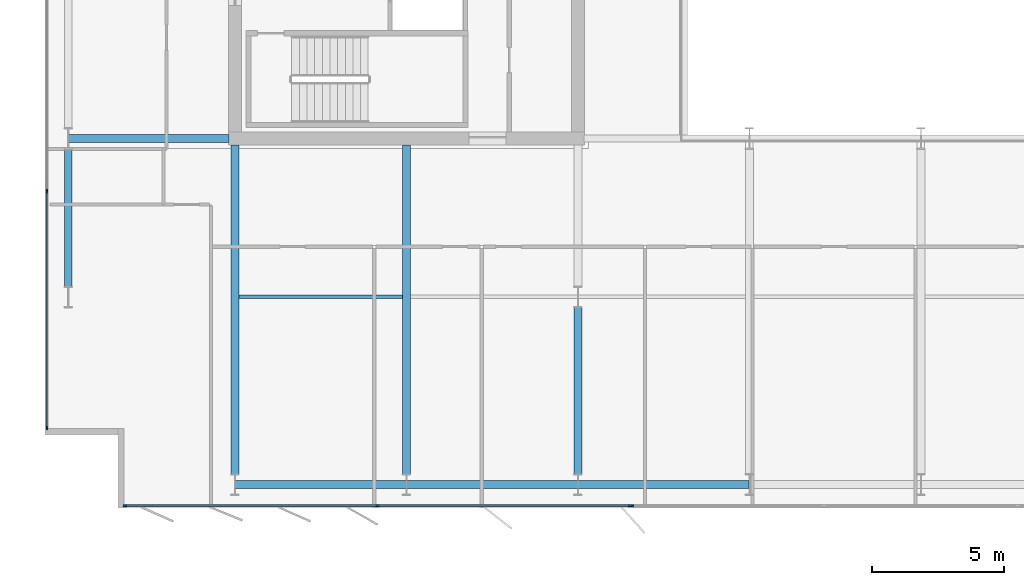
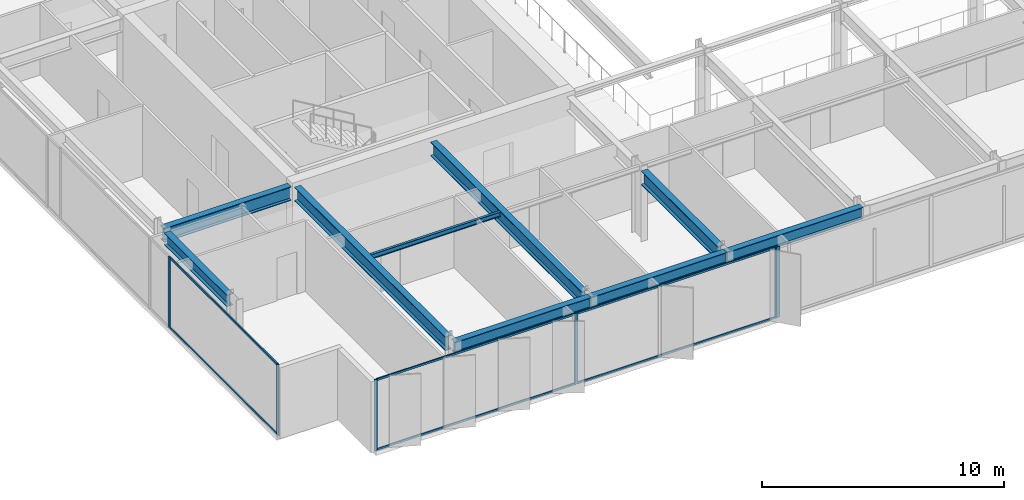
# One storey, part 3 of 23: 12 members, 9 beams, 3 elements without a shape of their own.
"""IFC4 building model written with IfcOpenShell, lengths in metres."""

from ifc_helpers import new_model, si_unit, direction, frame, origin, origin_2d, place, context, subcontext, project, spatial, rectangle, i_section, extrude, material, layer, layer_set, material_profile, profile_set, type_object, element, aggregate, save


model = new_model("IFC4")

# Units and contexts
model_context = context("Model", 3, precision=1e-05, world=origin(), true_north=direction((0.0, 1.0)))
body_context = subcontext(model_context, "Body", "Model", "MODEL_VIEW")
ifc_project = project(units=[si_unit("LENGTHUNIT", "METRE"), si_unit("AREAUNIT", "SQUARE_METRE"), si_unit("VOLUMEUNIT", "CUBIC_METRE"), si_unit("PLANEANGLEUNIT", "RADIAN"), si_unit("MASSUNIT", "GRAM", prefix="KILO")], contexts=[model_context])

# Site, building, storey
site_placement = place(None, origin())
site = spatial("IfcSite", under=ifc_project, at=site_placement, CompositionType="ELEMENT")
building_placement = place(site_placement, origin())
building = spatial("IfcBuilding", under=site, at=building_placement, Name="Putna Gate Headquarters", CompositionType="ELEMENT")
storey_placement = place(building_placement, frame((0.0, 0.0, 213.800048828125)))
storey = spatial("IfcBuildingStorey", under=building, at=storey_placement, Name="L53", CompositionType="ELEMENT", Elevation=213.800048828125)

# Beams
ifc_material_1 = material(Name="Steel S355J2", Category="steel")
ifc_material_profile_1 = material_profile(ifc_material_1, i_section(OverallWidth=0.300048828125, OverallDepth=0.699951171875, WebThickness=0.01708984375, FlangeThickness=0.031982421875, at=origin_2d()), Name="Steel S355J2")
ifc_profile_set_1 = profile_set([ifc_material_profile_1], Name="Steel S355J2")
beam_type_1 = type_object("IfcBeamType", Name="BM-GIRD-B-HEB700", PredefinedType="USERDEFINED", material=ifc_profile_set_1)
beam_1_placement = place(storey_placement, frame((6.68603515625, 19.0, 3.22998046875), z_axis=(1.0, 0.0, 0.0), x_axis=(0.0, 1.0, 0.0)))
element("IfcBeam", 1, at=beam_1_placement, inside=storey, type_object=beam_type_1, Name="L53 West Wing Girder Y19", ObjectType="GIRDER", PredefinedType="USERDEFINED", context=body_context, shape_type="SweptSolid", body=[
    extrude(i_section(OverallWidth=0.300048828125, OverallDepth=0.699951171875, WebThickness=0.01708984375, FlangeThickness=0.031982421875, at=origin_2d()), origin(), (0.0, 0.0, 1.0), 6.078857421875),
])
for number, where, z_axis, x_axis, name in (
    (2, (13.0, 6.27490234375, 3.22998046875), (0.0, 1.0, 0.0), (-1.0, 0.0, 0.0), "L53 South Primary Girder X13"),
    (3, (19.5, 6.27490234375, 3.22998046875), (0.0, 1.0, 0.0), (-1.0, 0.0, 0.0), "L53 South Primary Girder X19"),
):
    element("IfcBeam", number, at=place(storey_placement, frame(where, z_axis=z_axis, x_axis=x_axis)), inside=storey, type_object=beam_type_1, Name=name, ObjectType="GIRDER", PredefinedType="USERDEFINED", context=body_context, shape_type="SweptSolid", body=[
        extrude(i_section(OverallWidth=0.300048828125, OverallDepth=0.699951171875, WebThickness=0.01708984375, FlangeThickness=0.031982421875, at=origin_2d()), origin(), (0.0, 0.0, 1.0), 12.489990234375),
    ])
beam_2_placement = place(storey_placement, frame((26.0, 6.27490234375, 3.22998046875), z_axis=(0.0, 1.0, 0.0), x_axis=(-1.0, 0.0, 0.0)))
element("IfcBeam", 4, at=beam_2_placement, inside=storey, type_object=beam_type_1, Name="L53 South Primary Girder X26-1", ObjectType="GIRDER", PredefinedType="USERDEFINED", context=body_context, shape_type="SweptSolid", body=[
    extrude(i_section(OverallWidth=0.300048828125, OverallDepth=0.699951171875, WebThickness=0.01708984375, FlangeThickness=0.031982421875, at=origin_2d()), origin(), (0.0, 0.0, 1.0), 6.330078125),
])
ifc_material_profile_2 = material_profile(ifc_material_1, i_section(OverallWidth=0.1201171875, OverallDepth=0.239990234375, WebThickness=0.006103515625, FlangeThickness=0.009765625, at=origin_2d()), Name="Steel S355J2")
ifc_profile_set_2 = profile_set([ifc_material_profile_2], Name="Steel S355J2")
beam_type_2 = type_object("IfcBeamType", Name="BM-SEC-Z4-IPE240", PredefinedType="JOIST", material=ifc_profile_set_2)
beam_3_placement = place(storey_placement, frame((13.154052734375, 13.0, 3.4599609375), z_axis=(1.0, 0.0, 0.0), x_axis=(0.0, 1.0, 0.0)))
element("IfcBeam", 5, at=beam_3_placement, inside=storey, type_object=beam_type_2, Name="L53 South Secondary Beam 1", PredefinedType="JOIST", context=body_context, shape_type="SweptSolid", body=[
    extrude(i_section(OverallWidth=0.1201171875, OverallDepth=0.239990234375, WebThickness=0.006103515625, FlangeThickness=0.009765625, at=origin_2d()), origin(), (0.0, 0.0, 1.0), 6.19189453125),
])
ifc_material_profile_3 = material_profile(ifc_material_1, i_section(OverallWidth=0.300048828125, OverallDepth=0.590087890625, WebThickness=0.012939453125, FlangeThickness=0.02490234375, at=origin_2d()), Name="Steel S355J2")
ifc_profile_set_3 = profile_set([ifc_material_profile_3], Name="Steel S355J2")
beam_type_3 = type_object("IfcBeamType", Name="BM-SPAN-Z4-HEA600", PredefinedType="SPANDREL", material=ifc_profile_set_3)
for number, where, z_axis, x_axis, name in (
    (6, (13.006103515625, 5.8798828125, 3.284912109375), (1.0, 0.0, 0.0), (0.0, 1.0, 0.0), "L53 S Perimeter Spandrel 1"),
    (7, (19.506103515625, 5.8798828125, 3.284912109375), (1.0, 0.0, 0.0), (0.0, 1.0, 0.0), "L53 S Perimeter Spandrel 2"),
    (8, (26.006103515625, 5.8798828125, 3.284912109375), (1.0, 0.0, 0.0), (0.0, 1.0, 0.0), "L53 S Perimeter Spandrel 3"),
):
    element("IfcBeam", number, at=place(storey_placement, frame(where, z_axis=z_axis, x_axis=x_axis)), inside=storey, type_object=beam_type_3, Name=name, PredefinedType="SPANDREL", context=body_context, shape_type="SweptSolid", body=[
        extrude(i_section(OverallWidth=0.300048828125, OverallDepth=0.590087890625, WebThickness=0.012939453125, FlangeThickness=0.02490234375, at=origin_2d()), origin(), (0.0, 0.0, 1.0), 6.48779296875),
    ])
beam_4_placement = place(storey_placement, frame((6.679931640625, 13.39501953125, 3.284912109375), z_axis=(0.0, 1.0, 0.0), x_axis=(-1.0, 0.0, 0.0)))
element("IfcBeam", 9, at=beam_4_placement, inside=storey, type_object=beam_type_3, Name="L53 W End Spandrel 1", PredefinedType="SPANDREL", context=body_context, shape_type="SweptSolid", body=[
    extrude(i_section(OverallWidth=0.300048828125, OverallDepth=0.590087890625, WebThickness=0.012939453125, FlangeThickness=0.02490234375, at=origin_2d()), origin(), (0.0, 0.0, 1.0), 5.2099609375),
])

# Curtain wall, members
ifc_material_2 = material(Name="Anodised bronze aluminium curtain wall", Category="aluminium")
ifc_layer_1 = layer(ifc_material_2, 0.139892578125)
ifc_layer_set_1 = layer_set([ifc_layer_1], Name="Anodised bronze aluminium curtain wall")
curtain_wall_type_1 = type_object("IfcCurtainWallType", Name="CW-SYS-Z4", PredefinedType="USERDEFINED", material=ifc_layer_set_1)
curtain_wall_1_placement = place(storey_placement, origin())
curtain_wall_1 = element("IfcCurtainWall", 10, at=curtain_wall_1_placement, inside=storey, type_object=curtain_wall_type_1, Name="L53 South West Curtain Wall", ObjectType="STICK CURTAIN WALL", PredefinedType="USERDEFINED")
ifc_material_3 = material(Name="Anodised bronze aluminium EN AW-6060", Category="aluminium")
ifc_material_profile_4 = material_profile(ifc_material_3, rectangle(XDim=0.06005859375, YDim=0.139892578125, at=origin_2d()), Name="Anodised bronze aluminium EN AW-6060")
ifc_profile_set_4 = profile_set([ifc_material_profile_4], Name="Anodised bronze aluminium EN AW-6060")
member_type_1 = type_object("IfcMemberType", Name="MULL-CWM-4", PredefinedType="MULLION", material=ifc_profile_set_4)
member_1_placement = place(storey_placement, frame((8.830078125, 5.080078125, 0.0), z_axis=(0.0, 0.0, 1.0), x_axis=(0.0, 1.0, 0.0)))
member_1 = element("IfcMember", 11, at=member_1_placement, type_object=member_type_1, Name="CWS-4 mullion 1", PredefinedType="MULLION", context=body_context, shape_type="SweptSolid", body=[
    extrude(rectangle(XDim=0.06005859375, YDim=0.139892578125, at=origin_2d()), origin(), (0.0, 0.0, 1.0), 3.579833984375),
])
member_2_placement = place(storey_placement, frame((18.39990234375, 5.080078125, 0.0), z_axis=(0.0, 0.0, 1.0), x_axis=(0.0, 1.0, 0.0)))
member_2 = element("IfcMember", 12, at=member_2_placement, type_object=member_type_1, Name="CWS-4 mullion 2", PredefinedType="MULLION", context=body_context, shape_type="SweptSolid", body=[
    extrude(rectangle(XDim=0.06005859375, YDim=0.139892578125, at=origin_2d()), origin(), (0.0, 0.0, 1.0), 3.579833984375),
])
member_3_placement = place(storey_placement, frame((27.969970703125, 5.080078125, 0.0), z_axis=(0.0, 0.0, 1.0), x_axis=(0.0, 1.0, 0.0)))
member_3 = element("IfcMember", 13, at=member_3_placement, type_object=member_type_1, Name="CWS-4 mullion 3", PredefinedType="MULLION", context=body_context, shape_type="SweptSolid", body=[
    extrude(rectangle(XDim=0.06005859375, YDim=0.139892578125, at=origin_2d()), origin(), (0.0, 0.0, 1.0), 3.579833984375),
])

curtain_wall_2_placement = place(storey_placement, origin())
curtain_wall_2 = element("IfcCurtainWall", 14, at=curtain_wall_2_placement, inside=storey, type_object=curtain_wall_type_1, Name="L53 West Curtain Wall", ObjectType="STICK CURTAIN WALL", PredefinedType="USERDEFINED")
member_4_placement = place(storey_placement, frame((5.8798828125, 8.030029296875, 0.0), z_axis=(0.0, 0.0, 1.0), x_axis=(-1.0, 0.0, 0.0)))
member_4 = element("IfcMember", 15, at=member_4_placement, type_object=member_type_1, Name="CWS-4 mullion 1", PredefinedType="MULLION", context=body_context, shape_type="SweptSolid", body=[
    extrude(rectangle(XDim=0.06005859375, YDim=0.139892578125, at=origin_2d()), origin(), (0.0, 0.0, 1.0), 3.579833984375),
])
member_5_placement = place(storey_placement, frame((5.8798828125, 17.0, 0.0), z_axis=(0.0, 0.0, 1.0), x_axis=(-1.0, 0.0, 0.0)))
member_5 = element("IfcMember", 16, at=member_5_placement, type_object=member_type_1, Name="CWS-4 mullion 2", PredefinedType="MULLION", context=body_context, shape_type="SweptSolid", body=[
    extrude(rectangle(XDim=0.06005859375, YDim=0.139892578125, at=origin_2d()), origin(), (0.0, 0.0, 1.0), 3.579833984375),
])

# Curtain wall, member
ifc_layer_2 = layer(ifc_material_2, 0.179931640625)
ifc_layer_set_2 = layer_set([ifc_layer_2], Name="Anodised bronze aluminium curtain wall")
curtain_wall_type_2 = type_object("IfcCurtainWallType", Name="CW-SYS-ATR", PredefinedType="USERDEFINED", material=ifc_layer_set_2)
curtain_wall_3_placement = place(storey_placement, origin())
curtain_wall_3 = element("IfcCurtainWall", 17, at=curtain_wall_3_placement, inside=storey, type_object=curtain_wall_type_2, Name="L53 South Atrium Clear Glazing", ObjectType="ATRIUM GLAZING", PredefinedType="USERDEFINED")
ifc_material_profile_5 = material_profile(ifc_material_3, rectangle(XDim=0.070068359375, YDim=0.179931640625, at=origin_2d()), Name="Anodised bronze aluminium EN AW-6060")
ifc_profile_set_5 = profile_set([ifc_material_profile_5], Name="Anodised bronze aluminium EN AW-6060")
member_type_2 = type_object("IfcMemberType", Name="MULL-CWM-AT", PredefinedType="MULLION", material=ifc_profile_set_5)
member_6_placement = place(storey_placement, frame((28.034912109375, 5.080078125, 0.0), z_axis=(0.0, 0.0, 1.0), x_axis=(0.0, 1.0, 0.0)))
member_6 = element("IfcMember", 18, at=member_6_placement, type_object=member_type_2, Name="CWS-AT mullion 1", PredefinedType="MULLION", context=body_context, shape_type="SweptSolid", body=[
    extrude(rectangle(XDim=0.070068359375, YDim=0.179931640625, at=origin_2d()), origin(), (0.0, 0.0, 1.0), 3.579833984375),
])
aggregate(curtain_wall_3, [member_6])

# Member
ifc_material_profile_6 = material_profile(ifc_material_3, rectangle(XDim=0.06005859375, YDim=0.10009765625, at=origin_2d()), Name="Anodised bronze aluminium EN AW-6060")
ifc_profile_set_6 = profile_set([ifc_material_profile_6], Name="Anodised bronze aluminium EN AW-6060")
member_type_3 = type_object("IfcMemberType", Name="TRAN-CWT-4", PredefinedType="USERDEFINED", material=ifc_profile_set_6)
member_7_placement = place(storey_placement, frame((8.860107421875, 5.080078125, 0.030029296875), z_axis=(1.0, 0.0, 0.0), x_axis=(0.0, 1.0, 0.0)))
member_7 = element("IfcMember", 19, at=member_7_placement, type_object=member_type_3, Name="CWS-4 transom 1.1", ObjectType="TRANSOM", PredefinedType="USERDEFINED", context=body_context, shape_type="SweptSolid", body=[
    extrude(rectangle(XDim=0.06005859375, YDim=0.10009765625, at=origin_2d()), origin(), (0.0, 0.0, 1.0), 9.510009765625),
])

member_8_placement = place(storey_placement, frame((8.860107421875, 5.080078125, 3.550048828125), z_axis=(1.0, 0.0, 0.0), x_axis=(0.0, 1.0, 0.0)))
member_8 = element("IfcMember", 20, at=member_8_placement, type_object=member_type_3, Name="CWS-4 transom 1.2", ObjectType="TRANSOM", PredefinedType="USERDEFINED", context=body_context, shape_type="SweptSolid", body=[
    extrude(rectangle(XDim=0.06005859375, YDim=0.10009765625, at=origin_2d()), origin(), (0.0, 0.0, 1.0), 9.510009765625),
])

member_9_placement = place(storey_placement, frame((18.429931640625, 5.080078125, 0.030029296875), z_axis=(1.0, 0.0, 0.0), x_axis=(0.0, 1.0, 0.0)))
member_9 = element("IfcMember", 21, at=member_9_placement, type_object=member_type_3, Name="CWS-4 transom 2.1", ObjectType="TRANSOM", PredefinedType="USERDEFINED", context=body_context, shape_type="SweptSolid", body=[
    extrude(rectangle(XDim=0.06005859375, YDim=0.10009765625, at=origin_2d()), origin(), (0.0, 0.0, 1.0), 9.510009765625),
])

member_10_placement = place(storey_placement, frame((18.429931640625, 5.080078125, 3.550048828125), z_axis=(1.0, 0.0, 0.0), x_axis=(0.0, 1.0, 0.0)))
member_10 = element("IfcMember", 22, at=member_10_placement, type_object=member_type_3, Name="CWS-4 transom 2.2", ObjectType="TRANSOM", PredefinedType="USERDEFINED", context=body_context, shape_type="SweptSolid", body=[
    extrude(rectangle(XDim=0.06005859375, YDim=0.10009765625, at=origin_2d()), origin(), (0.0, 0.0, 1.0), 9.510009765625),
])

aggregate(curtain_wall_1, [member_1, member_2, member_3, member_7, member_8, member_9, member_10])

member_11_placement = place(storey_placement, frame((5.8798828125, 8.06005859375, 0.030029296875), z_axis=(0.0, 1.0, 0.0), x_axis=(-1.0, 0.0, 0.0)))
member_11 = element("IfcMember", 23, at=member_11_placement, type_object=member_type_3, Name="CWS-4 transom 1.1", ObjectType="TRANSOM", PredefinedType="USERDEFINED", context=body_context, shape_type="SweptSolid", body=[
    extrude(rectangle(XDim=0.06005859375, YDim=0.10009765625, at=origin_2d()), origin(), (0.0, 0.0, 1.0), 8.909912109375),
])

member_12_placement = place(storey_placement, frame((5.8798828125, 8.06005859375, 3.550048828125), z_axis=(0.0, 1.0, 0.0), x_axis=(-1.0, 0.0, 0.0)))
member_12 = element("IfcMember", 24, at=member_12_placement, type_object=member_type_3, Name="CWS-4 transom 1.2", ObjectType="TRANSOM", PredefinedType="USERDEFINED", context=body_context, shape_type="SweptSolid", body=[
    extrude(rectangle(XDim=0.06005859375, YDim=0.10009765625, at=origin_2d()), origin(), (0.0, 0.0, 1.0), 8.909912109375),
])

aggregate(curtain_wall_2, [member_4, member_5, member_11, member_12])

save(model, "model.ifc")
